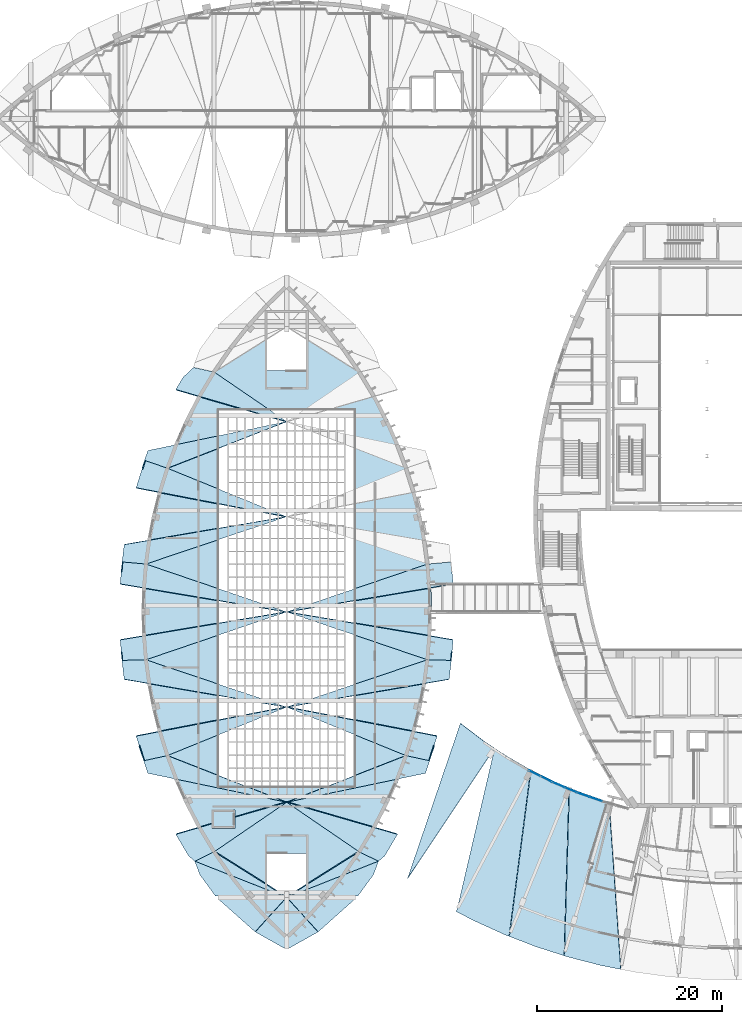
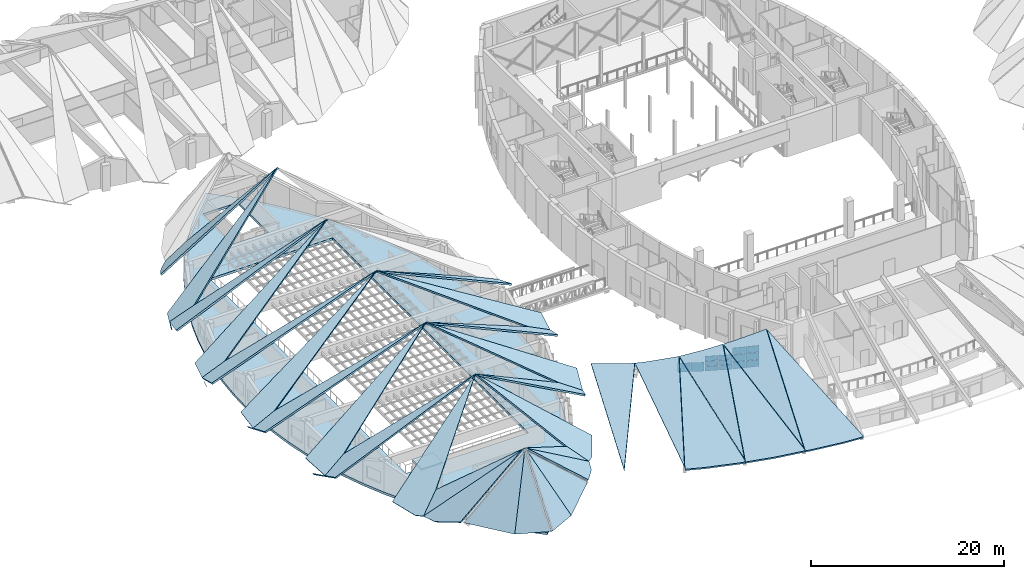
# One storey, part 21 of 56: 33 slabs, 14 plates, 3 elements without a shape of their own.
"""IFC4 building model written with IfcOpenShell, lengths in metres."""

from ifc_helpers import new_model, si_unit, direction, frame, origin, origin_2d, place, context, subcontext, project, spatial, polyline, rectangle, outline, extrude, material, layer, layer_set, type_object, element, aggregate, save


model = new_model("IFC4")

# Units and contexts
model_context = context("Model", 3, precision=1e-05, world=origin(), true_north=direction((0.0, 1.0)))
body_context = subcontext(model_context, "Body", "Model", "MODEL_VIEW")
ifc_project = project(units=[si_unit("LENGTHUNIT", "METRE"), si_unit("AREAUNIT", "SQUARE_METRE"), si_unit("VOLUMEUNIT", "CUBIC_METRE"), si_unit("PLANEANGLEUNIT", "RADIAN"), si_unit("MASSUNIT", "GRAM", prefix="KILO")], contexts=[model_context])

# Site, building, storey
site_placement = place(None, origin())
site = spatial("IfcSite", under=ifc_project, at=site_placement, CompositionType="ELEMENT")
building_placement = place(site_placement, origin())
building = spatial("IfcBuilding", under=site, at=building_placement, Name="Tide Square Theatres", CompositionType="ELEMENT")
storey_placement = place(building_placement, frame((0.0, 0.0, 10.199951171875)))
storey = spatial("IfcBuildingStorey", under=building, at=storey_placement, Name="L02", CompositionType="ELEMENT", Elevation=10.199951171875)

# Curtain wall, plates
ifc_material_1 = material(Name="Aluminium 6063-T5", Category="aluminium")
curtain_wall_type_1 = type_object("IfcCurtainWallType", Name="Stick system curtain wall 3000 high", PredefinedType="USERDEFINED", material=ifc_material_1)
curtain_wall_1_placement = place(storey_placement, origin())
curtain_wall_1 = element("IfcCurtainWall", 1, at=curtain_wall_1_placement, inside=storey, type_object=curtain_wall_type_1, Name="Foyer inner curtain wall", ObjectType="STICK SYSTEM", PredefinedType="USERDEFINED")
ifc_material_2 = material(Name="Double-glazed unit with aluminium frame", Category="aluminium")
ifc_layer_1 = layer(ifc_material_2, 0.030029296875)
ifc_layer_set_1 = layer_set([ifc_layer_1], Name="Double-glazed unit with aluminium frame")
plate_type = type_object("IfcPlateType", Name="Curtain wall panel 30 thick", PredefinedType="CURTAIN_PANEL", material=ifc_layer_set_1)
plate_1_placement = place(storey_placement, frame((69.413330078125, 24.260009765625, 0.05029296875), z_axis=(0.0, 0.0, 1.0), x_axis=(-0.943674173713, 0.330876191147, 0.0)))
plate_1 = element("IfcPlate", 2, at=plate_1_placement, type_object=plate_type, Name="CW-10 panel 1.1", PredefinedType="CURTAIN_PANEL", context=body_context, shape_type="SweptSolid", body=[
    extrude(rectangle(XDim=1.365234375, YDim=0.030029296875, at=origin_2d()), origin(), (0.0, 0.0, 1.0), 0.848388671875),
])
plate_2_placement = place(storey_placement, frame((69.413330078125, 24.260009765625, 0.948486328125), z_axis=(0.0, 0.0, 1.0), x_axis=(-0.943674173713, 0.330876191147, 0.0)))
plate_2 = element("IfcPlate", 3, at=plate_2_placement, type_object=plate_type, Name="CW-10 panel 1.2", PredefinedType="CURTAIN_PANEL", context=body_context, shape_type="SweptSolid", body=[
    extrude(rectangle(XDim=1.365234375, YDim=0.030029296875, at=origin_2d()), origin(), (0.0, 0.0, 1.0), 0.87353515625),
])
plate_3_placement = place(storey_placement, frame((69.413330078125, 24.260009765625, 1.8720703125), z_axis=(0.0, 0.0, 1.0), x_axis=(-0.943674173713, 0.330876191147, 0.0)))
plate_3 = element("IfcPlate", 4, at=plate_3_placement, type_object=plate_type, Name="CW-10 panel 1.3", PredefinedType="CURTAIN_PANEL", context=body_context, shape_type="SweptSolid", body=[
    extrude(rectangle(XDim=1.365234375, YDim=0.030029296875, at=origin_2d()), origin(), (0.0, 0.0, 1.0), 0.848388671875),
])
plate_4_placement = place(storey_placement, frame((68.077880859375, 24.728271484375, 0.05029296875), z_axis=(0.0, 0.0, 1.0), x_axis=(-0.943674173713, 0.330876191147, 0.0)))
plate_4 = element("IfcPlate", 5, at=plate_4_placement, type_object=plate_type, Name="CW-10 panel 2.1", PredefinedType="CURTAIN_PANEL", context=body_context, shape_type="SweptSolid", body=[
    extrude(rectangle(XDim=1.365234375, YDim=0.030029296875, at=origin_2d()), origin(), (0.0, 0.0, 1.0), 0.848388671875),
])
plate_5_placement = place(storey_placement, frame((68.077880859375, 24.728271484375, 0.948486328125), z_axis=(0.0, 0.0, 1.0), x_axis=(-0.943674173713, 0.330876191147, 0.0)))
plate_5 = element("IfcPlate", 6, at=plate_5_placement, type_object=plate_type, Name="CW-10 panel 2.2", PredefinedType="CURTAIN_PANEL", context=body_context, shape_type="SweptSolid", body=[
    extrude(rectangle(XDim=1.365234375, YDim=0.030029296875, at=origin_2d()), origin(), (0.0, 0.0, 1.0), 0.87353515625),
])
plate_6_placement = place(storey_placement, frame((68.077880859375, 24.728271484375, 1.8720703125), z_axis=(0.0, 0.0, 1.0), x_axis=(-0.943674173713, 0.330876191147, 0.0)))
plate_6 = element("IfcPlate", 7, at=plate_6_placement, type_object=plate_type, Name="CW-10 panel 2.3", PredefinedType="CURTAIN_PANEL", context=body_context, shape_type="SweptSolid", body=[
    extrude(rectangle(XDim=1.365234375, YDim=0.030029296875, at=origin_2d()), origin(), (0.0, 0.0, 1.0), 0.848388671875),
])
aggregate(curtain_wall_1, [plate_1, plate_2, plate_3, plate_4, plate_5, plate_6])

ifc_material_3 = material(Name="Aluminium 6063-T5", Category="aluminium")
curtain_wall_type_2 = type_object("IfcCurtainWallType", Name="Stick system curtain wall 1800 high", PredefinedType="USERDEFINED", material=ifc_material_3)
curtain_wall_2_placement = place(storey_placement, origin())
curtain_wall_2 = element("IfcCurtainWall", 8, at=curtain_wall_2_placement, inside=storey, type_object=curtain_wall_type_2, Name="Foyer inner curtain wall", ObjectType="STICK SYSTEM", PredefinedType="USERDEFINED")
plate_7_placement = place(storey_placement, frame((66.7119140625, 25.255859375, 0.050048828125), z_axis=(0.0, 0.0, 1.0), x_axis=(-0.92117987465, 0.389137043393, 0.0)))
plate_7 = element("IfcPlate", 9, at=plate_7_placement, type_object=plate_type, Name="CW-08 panel 1.1", PredefinedType="CURTAIN_PANEL", context=body_context, shape_type="SweptSolid", body=[
    extrude(rectangle(XDim=1.364990234375, YDim=0.030029296875, at=origin_2d()), origin(), (0.0, 0.0, 1.0), 0.5830078125),
])
plate_8_placement = place(storey_placement, frame((66.7119140625, 25.255859375, 0.68310546875), z_axis=(0.0, 0.0, 1.0), x_axis=(-0.92117987465, 0.389137043393, 0.0)))
plate_8 = element("IfcPlate", 10, at=plate_8_placement, type_object=plate_type, Name="CW-08 panel 1.2", PredefinedType="CURTAIN_PANEL", context=body_context, shape_type="SweptSolid", body=[
    extrude(rectangle(XDim=1.364990234375, YDim=0.030029296875, at=origin_2d()), origin(), (0.0, 0.0, 1.0), 0.60791015625),
])
plate_9_placement = place(storey_placement, frame((66.7119140625, 25.255859375, 1.341064453125), z_axis=(0.0, 0.0, 1.0), x_axis=(-0.92117987465, 0.389137043393, 0.0)))
plate_9 = element("IfcPlate", 11, at=plate_9_placement, type_object=plate_type, Name="CW-08 panel 1.3", PredefinedType="CURTAIN_PANEL", context=body_context, shape_type="SweptSolid", body=[
    extrude(rectangle(XDim=1.364990234375, YDim=0.030029296875, at=origin_2d()), origin(), (0.0, 0.0, 1.0), 0.5830078125),
])
plate_10_placement = place(storey_placement, frame((65.408203125, 25.806396484375, 0.050048828125), z_axis=(0.0, 0.0, 1.0), x_axis=(-0.92117987465, 0.389137043393, 0.0)))
plate_10 = element("IfcPlate", 12, at=plate_10_placement, type_object=plate_type, Name="CW-08 panel 2.1", PredefinedType="CURTAIN_PANEL", context=body_context, shape_type="SweptSolid", body=[
    extrude(rectangle(XDim=1.364990234375, YDim=0.030029296875, at=origin_2d()), origin(), (0.0, 0.0, 1.0), 0.5830078125),
])
plate_11_placement = place(storey_placement, frame((65.408203125, 25.806396484375, 0.68310546875), z_axis=(0.0, 0.0, 1.0), x_axis=(-0.92117987465, 0.389137043393, 0.0)))
plate_11 = element("IfcPlate", 13, at=plate_11_placement, type_object=plate_type, Name="CW-08 panel 2.2", PredefinedType="CURTAIN_PANEL", context=body_context, shape_type="SweptSolid", body=[
    extrude(rectangle(XDim=1.364990234375, YDim=0.030029296875, at=origin_2d()), origin(), (0.0, 0.0, 1.0), 0.60791015625),
])
plate_12_placement = place(storey_placement, frame((65.408203125, 25.806396484375, 1.341064453125), z_axis=(0.0, 0.0, 1.0), x_axis=(-0.92117987465, 0.389137043393, 0.0)))
plate_12 = element("IfcPlate", 14, at=plate_12_placement, type_object=plate_type, Name="CW-08 panel 2.3", PredefinedType="CURTAIN_PANEL", context=body_context, shape_type="SweptSolid", body=[
    extrude(rectangle(XDim=1.364990234375, YDim=0.030029296875, at=origin_2d()), origin(), (0.0, 0.0, 1.0), 0.5830078125),
])
aggregate(curtain_wall_2, [plate_7, plate_8, plate_9, plate_10, plate_11, plate_12])

ifc_material_4 = material(Name="Aluminium 6063-T5", Category="aluminium")
curtain_wall_type_3 = type_object("IfcCurtainWallType", Name="Stick system curtain wall 1200 high", PredefinedType="USERDEFINED", material=ifc_material_4)
curtain_wall_3_placement = place(storey_placement, origin())
curtain_wall_3 = element("IfcCurtainWall", 15, at=curtain_wall_3_placement, inside=storey, type_object=curtain_wall_type_3, Name="Foyer inner curtain wall", ObjectType="STICK SYSTEM", PredefinedType="USERDEFINED")
plate_13_placement = place(storey_placement, frame((64.077880859375, 26.418212890625, 0.0498046875), z_axis=(0.0, 0.0, 1.0), x_axis=(-0.895099732061, 0.445865977245, 0.0)))
plate_13 = element("IfcPlate", 16, at=plate_13_placement, type_object=plate_type, Name="CW-07 panel 1.1", PredefinedType="CURTAIN_PANEL", context=body_context, shape_type="SweptSolid", body=[
    extrude(rectangle(XDim=1.365234375, YDim=0.030029296875, at=origin_2d()), origin(), (0.0, 0.0, 1.0), 1.123291015625),
])
plate_14_placement = place(storey_placement, frame((62.81103515625, 27.049072265625, 0.0498046875), z_axis=(0.0, 0.0, 1.0), x_axis=(-0.895099732061, 0.445865977245, 0.0)))
plate_14 = element("IfcPlate", 17, at=plate_14_placement, type_object=plate_type, Name="CW-07 panel 2.1", PredefinedType="CURTAIN_PANEL", context=body_context, shape_type="SweptSolid", body=[
    extrude(rectangle(XDim=1.365234375, YDim=0.030029296875, at=origin_2d()), origin(), (0.0, 0.0, 1.0), 1.123291015625),
])
aggregate(curtain_wall_3, [plate_13, plate_14])

# Slabs
ifc_material_5 = material(Name="Concrete C35", Category="concrete")
ifc_layer_2 = layer(ifc_material_5, 0.300048828125)
ifc_layer_set_2 = layer_set([ifc_layer_2], Name="Concrete C35")
slab_type_1 = type_object("IfcSlabType", Name="RC floor slab 300", PredefinedType="FLOOR", material=ifc_layer_set_2)
slab_1_placement = place(storey_placement, frame((0.0, 0.0, -0.300048828125)))
element("IfcSlab", 18, at=slab_1_placement, inside=storey, type_object=slab_type_1, Name="Studio Theatre floor slab L02", PredefinedType="FLOOR", context=body_context, shape_type="SweptSolid", body=[
    extrude(outline(polyline([(36.0, 9.0), (38.243408203125, 11.17919921875), (40.33984375, 13.5), (42.254638671875, 15.9169921875), (44.01025390625, 18.451904296875), (45.599609375, 21.09423828125), (47.01611328125, 23.833251953125), (48.12353515625, 26.33642578125), (49.086669921875, 28.898681640625), (49.902099609375, 31.511474609375), (50.5673828125, 34.166748046875), (51.05859375, 36.723388671875), (51.41064453125, 39.302734375), (51.622314453125, 41.897705078125), (51.69287109375, 44.5), (51.622314453125, 47.102294921875), (51.41064453125, 49.697265625), (51.05859375, 52.276611328125), (50.5673828125, 54.833251953125), (49.902099609375, 57.488525390625), (49.086669921875, 60.101318359375), (48.12353515625, 62.66357421875), (47.01611328125, 65.166748046875), (45.599609375, 67.90576171875), (44.01025390625, 70.548095703125), (42.254638671875, 73.0830078125), (40.33984375, 75.5), (38.243408203125, 77.82080078125), (36.0, 80.0), (33.756591796875, 77.82080078125), (31.66015625, 75.5), (29.745361328125, 73.0830078125), (27.98974609375, 70.548095703125), (26.400390625, 67.90576171875), (24.98388671875, 65.166748046875), (23.87646484375, 62.66357421875), (22.913330078125, 60.101318359375), (22.097900390625, 57.488525390625), (21.4326171875, 54.833251953125), (20.94140625, 52.276611328125), (20.58935546875, 49.697265625), (20.377685546875, 47.102294921875), (20.30712890625, 44.5), (20.377685546875, 41.897705078125), (20.58935546875, 39.302734375), (20.94140625, 36.723388671875), (21.4326171875, 34.166748046875), (22.097900390625, 31.511474609375), (22.913330078125, 28.898681640625), (23.87646484375, 26.33642578125), (24.98388671875, 23.833251953125), (26.400390625, 21.09423828125), (27.98974609375, 18.451904296875), (29.745361328125, 15.9169921875), (31.66015625, 13.5), (33.756591796875, 11.17919921875), (36.0, 9.0)]), holes=[polyline([(28.64990234375, 66.35009765625), (28.64990234375, 25.64990234375), (43.35009765625, 25.64990234375), (43.35009765625, 66.35009765625), (28.64990234375, 66.35009765625)]), polyline([(30.219970703125, 21.300048828125), (30.219970703125, 22.89990234375), (28.1201171875, 22.89990234375), (28.1201171875, 21.300048828125), (30.219970703125, 21.300048828125)]), polyline([(38.10009765625, 70.595703125), (38.10009765625, 76.85009765625), (33.89990234375, 76.85009765625), (33.89990234375, 70.595703125), (38.10009765625, 70.595703125)]), polyline([(33.89990234375, 18.404296875), (33.89990234375, 12.14990234375), (38.10009765625, 12.14990234375), (38.10009765625, 18.404296875), (33.89990234375, 18.404296875)])]), origin(), (0.0, 0.0, 1.0), 0.300048828125),
])
ifc_material_6 = material(Name="Concrete C40", Category="concrete")
ifc_layer_3 = layer(ifc_material_6, 0.199951171875)
ifc_layer_set_3 = layer_set([ifc_layer_3], Name="Concrete C40")
slab_type_2 = type_object("IfcSlabType", Name="RC roof slab 200", PredefinedType="ROOF", material=ifc_layer_set_3)
slab_2_placement = place(storey_placement, frame((55.04931640625, 32.252685546875, 0.641357421875), z_axis=(-0.133203298273, -0.029548668521, 0.990648150212), x_axis=(-0.754151304013, 0.651564941336, -0.081969127588)))
element("IfcSlab", 19, at=slab_2_placement, inside=storey, type_object=slab_type_2, Name="Foyer roof plate foyer-S0b", PredefinedType="ROOF", context=body_context, shape_type="SweptSolid", body=[
    extrude(outline(polyline([(0.0, 0.0), (0.3402291181141655, -2.1250362580715887e-17), (-6.1912247696416465, 16.583083765365497), (-4.237152126557481, -0.3540155005034394), (-2.8779750785932525, -0.18222469903418326), (0.0, 0.0)])), origin(), (0.0, 0.0, -1.0), 0.199951171875),
])
slab_3_placement = place(storey_placement, frame((59.728515625, 28.924560546875, 1.322998046875), z_axis=(-0.238478712314, -0.015508455152, 0.97102388827), x_axis=(-0.817116486487, 0.543559775371, -0.191998484653)))
element("IfcSlab", 20, at=slab_3_placement, inside=storey, type_object=slab_type_2, Name="Foyer roof plate foyer-S1b", PredefinedType="ROOF", context=body_context, shape_type="SweptSolid", body=[
    extrude(outline(polyline([(0.0, 0.0), (1.5217228932536926, -2.0816681711721685e-17), (-4.3334201001521, 16.782084586122057), (-3.127210507313726, -0.20581452114063625), (-2.926231272519016, -0.18094987776053612), (0.0, 0.0)])), origin(), (0.0, 0.0, -1.0), 0.199951171875),
])
slab_4_placement = place(storey_placement, frame((59.99609375, 9.44189453125, 0.29150390625), z_axis=(-0.133901697207, -0.073651752378, 0.988253891901), x_axis=(0.375907416589, 0.918930310434, 0.119418167455)))
element("IfcSlab", 21, at=slab_4_placement, inside=storey, type_object=slab_type_2, Name="Foyer roof plate foyer-S2a", PredefinedType="ROOF", context=body_context, shape_type="SweptSolid", body=[
    extrude(outline(polyline([(0.0, 0.0), (0.20590695228474917, -7.806255641895632e-18), (17.492384853101033, 4.584237614900819), (0.26005271636310584, 6.314678166493417), (0.08192856343770458, 4.225017317545547), (-0.01670297404753105, 0.5285749928340474), (0.0, 0.0)])), origin(), (0.0, 0.0, -1.0), 0.199951171875),
])
slab_5_placement = place(storey_placement, frame((64.78564453125, 26.205078125, 2.678466796875), z_axis=(-0.311361619713, -0.046987801636, 0.949129120967), x_axis=(-0.863826690813, 0.430254127465, -0.262077915969)))
element("IfcSlab", 22, at=slab_5_placement, inside=storey, type_object=slab_type_2, Name="Foyer roof plate foyer-S2b", PredefinedType="ROOF", context=body_context, shape_type="SweptSolid", body=[
    extrude(outline(polyline([(0.0, 0.0), (2.7355850898650593, 1.3877787807814457e-16), (-2.414641834556756, 16.98252862094802), (-1.9785462489172787, -0.1210060345723711), (0.0, 0.0)])), origin(), (0.0, 0.0, -1.0), 0.199951171875),
])
slab_6_placement = place(storey_placement, frame((65.9453125, 7.343017578125, 0.893310546875), z_axis=(-0.144497439017, -0.12142413537, 0.982026817082), x_axis=(0.282285816357, 0.946142218938, 0.158523245697)))
element("IfcSlab", 23, at=slab_6_placement, inside=storey, type_object=slab_type_2, Name="Foyer roof plate foyer-S3a", PredefinedType="ROOF", context=body_context, shape_type="SweptSolid", body=[
    extrude(outline(polyline([(0.0, 0.0), (0.1997000975907146, -8.673617379884035e-19), (17.541376896472688, 4.608497006188577), (0.20780716209117, 6.316339643788603), (0.011485356605302817, 3.172112851817569), (0.0, 0.0)])), origin(), (0.0, 0.0, -1.0), 0.199951171875),
])
slab_7_placement = place(storey_placement, frame((67.431640625, 25.08740234375, 3.491455078125), z_axis=(-0.332853259388, -0.110074253203, 0.936532095818), x_axis=(-0.886706369924, 0.374486927131, -0.271129775098)))
element("IfcSlab", 24, at=slab_7_placement, inside=storey, type_object=slab_type_2, Name="Foyer roof plate foyer-S3b", PredefinedType="ROOF", context=body_context, shape_type="SweptSolid", body=[
    extrude(outline(polyline([(0.0, 0.0), (0.964821994939362, -1.3877787807814457e-17), (-4.575903875110135, 16.934629934297277), (-3.768253692691, -0.27977551436514825), (-2.9904663617922864, -0.18406282788118472), (0.0, 0.0)])), origin(), (0.0, 0.0, -1.0), 0.199951171875),
])
slab_8_placement = place(storey_placement, frame((72.076904296875, 5.85986328125, 1.419921875), z_axis=(-0.129521416795, -0.179216665688, 0.975246424926), x_axis=(0.183774827813, 0.962152971347, 0.201217475359)))
element("IfcSlab", 25, at=slab_8_placement, inside=storey, type_object=slab_type_2, Name="Foyer roof plate foyer-S4a", PredefinedType="ROOF", context=body_context, shape_type="SweptSolid", body=[
    extrude(outline(polyline([(0.0, 0.0), (0.19382557948049844, -3.903127820947816e-18), (17.664990645114237, 4.576953846852607), (0.18909750905535086, 6.308594099351258), (0.13637987810147617, 5.804055797159233), (-0.029972913004108342, 2.1133162559558714), (0.0, 0.0)])), origin(), (0.0, 0.0, -1.0), 0.199951171875),
])
slab_9_placement = place(storey_placement, frame((0.0, 0.0, 3.342041015625)))
element("IfcSlab", 26, at=slab_9_placement, inside=storey, type_object=slab_type_2, Name="Studio Theatre lift overrun cover", PredefinedType="ROOF", context=body_context, shape_type="SweptSolid", body=[
    extrude(outline(polyline([(30.419921875, 21.10009765625), (30.419921875, 23.10009765625), (27.919921875, 23.10009765625), (27.919921875, 21.10009765625), (30.419921875, 21.10009765625)])), origin(), (0.0, 0.0, 1.0), 0.199951171875),
])
slab_10_placement = place(storey_placement, frame((45.39013671875, 16.090576171875, 0.376220703125), z_axis=(0.646213883668, -0.241208938589, 0.72403443599), x_axis=(0.349699568677, 0.936861895727, -1.730468e-06)))
element("IfcSlab", 27, at=slab_10_placement, inside=storey, type_object=slab_type_2, Name="Roof plate studio-P001", PredefinedType="ROOF", context=body_context, shape_type="SweptSolid", body=[
    extrude(outline(polyline([(0.0, 0.0), (1.561741034233145, -5.551115123125783e-17), (-5.334900362424495, 10.571001842598127), (-2.767636575213685, 1.0717441143020987), (0.0, 0.0)])), origin(), (0.0, 0.0, -1.0), 0.199951171875),
])
slab_11_placement = place(storey_placement, frame((43.84228515625, 18.560546875, 2.400146484375), z_axis=(0.639142579915, -0.1757573094, 0.748736355958), x_axis=(-0.726652981314, -0.456912300497, 0.513036640409)))
element("IfcSlab", 28, at=slab_11_placement, inside=storey, type_object=slab_type_2, Name="Roof plate studio-P002", PredefinedType="ROOF", context=body_context, shape_type="SweptSolid", body=[
    extrude(outline(polyline([(0.0, 0.0), (10.79233878882797, 8.881784197001252e-16), (-2.0742142787254068, 2.2505029433715533), (0.0, 0.0)])), origin(), (0.0, 0.0, -1.0), 0.199951171875),
])
slab_12_placement = place(storey_placement, frame((47.988525390625, 20.449951171875, 1.18310546875), z_axis=(0.449870186556, -0.519101830224, 0.72673936532), x_axis=(-0.752567589682, 0.217822031855, 0.621446365666)))
element("IfcSlab", 29, at=slab_12_placement, inside=storey, type_object=slab_type_2, Name="Roof plate studio-P003", PredefinedType="ROOF", context=body_context, shape_type="SweptSolid", body=[
    extrude(outline(polyline([(0.0, 0.0), (15.93011833775822, 0.0), (3.465097852510603, 3.1992877933087653), (0.4347406007959518, 3.6283137811097617), (0.762149042010317, 3.8932695403033293), (0.5581664676953395, 3.9453364494435177), (0.03620037799861142, 2.8370850709911504), (0.0, 0.0)])), origin(), (0.0, 0.0, -1.0), 0.199951171875),
])
slab_13_placement = place(storey_placement, frame((36.0, 23.919921875, 11.082763671875), z_axis=(0.528951665014, 0.098463805247, 0.842920527176), x_axis=(0.825189268548, 0.172264535805, -0.537947581812)))
element("IfcSlab", 30, at=slab_13_placement, inside=storey, type_object=slab_type_2, Name="Roof plate studio-P007", PredefinedType="ROOF", context=body_context, shape_type="SweptSolid", body=[
    extrude(outline(polyline([(0.0, 0.0), (18.188889669962514, 8.326672684688674e-17), (20.02350631560772, 2.6596957288569802), (20.025953401126085, 2.7942755840722144), (19.012697943724454, 1.241162131965655), (16.182490118068003, 2.3017981989767993), (0.0, 0.0)])), origin(), (0.0, 0.0, -1.0), 0.199951171875),
])
slab_14_placement = place(storey_placement, frame((52.271484375, 31.071533203125, 1.7880859375), z_axis=(0.403992344095, -0.409074792583, 0.818198020033), x_axis=(-0.849556396109, 0.163861090625, 0.501401508584)))
element("IfcSlab", 31, at=slab_14_placement, inside=storey, type_object=slab_type_2, Name="Roof plate studio-P008", PredefinedType="ROOF", context=body_context, shape_type="SweptSolid", body=[
    extrude(outline(polyline([(0.0, 0.0), (19.152904625970653, 1.3322676295501878e-15), (2.8279068163526677, 2.864416264213053), (-0.19384966326782238, 2.9277643522208407), (0.0, 0.0)])), origin(), (0.0, 0.0, -1.0), 0.199951171875),
])
slab_15_placement = place(storey_placement, frame((36.0, 34.2099609375, 11.391357421875), z_axis=(0.430790255916, 0.245433155781, 0.868436711252), x_axis=(0.868485881131, 0.148776862753, -0.472861205202)))
element("IfcSlab", 32, at=slab_15_placement, inside=storey, type_object=slab_type_2, Name="Roof plate studio-P012", PredefinedType="ROOF", context=body_context, shape_type="SweptSolid", body=[
    extrude(outline(polyline([(0.0, 0.0), (20.23316489440962, 4.440892098500626e-16), (21.47606571006804, 2.956596891748217), (21.433612931091893, 2.9506898063487244), (21.065888794427376, 2.000849468670075), (18.223846983524087, 2.5087317321483305), (0.0, 0.0)])), origin(), (0.0, 0.0, -1.0), 0.199951171875),
])
slab_16_placement = place(storey_placement, frame((54.002685546875, 41.474853515625, 1.89453125), z_axis=(0.408256825598, -0.329681289652, 0.851255902538), x_axis=(-0.868775929211, 0.145986249226, 0.473198055639)))
element("IfcSlab", 33, at=slab_16_placement, inside=storey, type_object=slab_type_2, Name="Roof plate studio-P013", PredefinedType="ROOF", context=body_context, shape_type="SweptSolid", body=[
    extrude(outline(polyline([(0.0, 0.0), (20.721835294647622, 0.0), (2.349883773647144, 2.6732523886963007), (-0.5121198099254823, 2.2936716466184475), (0.0, 0.0)])), origin(), (0.0, 0.0, -1.0), 0.199951171875),
])
slab_17_placement = place(storey_placement, frame((51.2119140625, 49.675537109375, 2.400146484375), z_axis=(0.408254516373, 0.329677706016, 0.851258397913), x_axis=(-0.819366880164, -0.278771960095, 0.50092325755)))
element("IfcSlab", 34, at=slab_17_placement, inside=storey, type_object=slab_type_2, Name="Roof plate studio-P017", PredefinedType="ROOF", context=body_context, shape_type="SweptSolid", body=[
    extrude(outline(polyline([(0.0, 0.0), (18.565421649885224, 1.1102230246251565e-15), (-1.940471545174048, 2.9837564018683667), (-2.8400912585662144, 0.623855400687998), (0.0, 0.0)])), origin(), (0.0, 0.0, -1.0), 0.199951171875),
])
slab_18_placement = place(storey_placement, frame((26.063720703125, 17.5537109375, 0.376220703125), z_axis=(-0.646213883668, -0.241208938589, 0.72403443599), x_axis=(0.349699568677, -0.936861895727, 1.730468e-06)))
element("IfcSlab", 35, at=slab_18_placement, inside=storey, type_object=slab_type_2, Name="Roof plate studio-P031", PredefinedType="ROOF", context=body_context, shape_type="SweptSolid", body=[
    extrude(outline(polyline([(0.0, 0.0), (1.561741034233145, 5.551115123125783e-17), (4.32937760944683, 1.071744114302099), (6.89664139665764, 10.571001842598129), (0.0, 0.0)])), origin(), (0.0, 0.0, -1.0), 0.199951171875),
])
slab_19_placement = place(storey_placement, frame((26.08349609375, 17.5458984375, 0.391357421875), z_axis=(-0.639142579915, -0.1757573094, 0.748736355958), x_axis=(0.759193689382, -0.299842069158, 0.577684754486)))
element("IfcSlab", 36, at=slab_19_placement, inside=storey, type_object=slab_type_2, Name="Roof plate studio-P032", PredefinedType="ROOF", context=body_context, shape_type="SweptSolid", body=[
    extrude(outline(polyline([(0.0, 0.0), (13.061889271399112, 4.440892098500626e-16), (2.4309463148144, 1.8594699208867762), (0.0, 0.0)])), origin(), (0.0, 0.0, -1.0), 0.199951171875),
])
slab_20_placement = place(storey_placement, frame((36.0, 23.919921875, 11.082763671875), z_axis=(-0.449870186556, -0.519101830224, 0.72673936532), x_axis=(-0.752567589682, -0.217822031855, -0.621446365666)))
element("IfcSlab", 37, at=slab_20_placement, inside=storey, type_object=slab_type_2, Name="Roof plate studio-P033", PredefinedType="ROOF", context=body_context, shape_type="SweptSolid", body=[
    extrude(outline(polyline([(0.0, 0.0), (15.93011833775822, 0.0), (15.893917959759607, 2.8370850709911495), (15.37195187006288, 3.945336449443517), (15.167969295747902, 3.89326954030333), (15.495377736962267, 3.6283137811097617), (12.465020485247617, 3.199287793308765), (0.0, 0.0)])), origin(), (0.0, 0.0, -1.0), 0.199951171875),
])
slab_21_placement = place(storey_placement, frame((20.99072265625, 27.05322265625, 1.298095703125), z_axis=(-0.528951665014, 0.098463805247, 0.842920527176), x_axis=(0.825189268548, -0.172264535805, 0.537947581812)))
element("IfcSlab", 38, at=slab_21_placement, inside=storey, type_object=slab_type_2, Name="Roof plate studio-P037", PredefinedType="ROOF", context=body_context, shape_type="SweptSolid", body=[
    extrude(outline(polyline([(0.0, 0.0), (18.188889669962514, -8.326672684688674e-17), (2.00639955189451, 2.301798198976799), (-0.8238082737619409, 1.2411621319656547), (-1.8370637311635685, 2.794275584072215), (-1.8346166456452047, 2.6596957288569807), (0.0, 0.0)])), origin(), (0.0, 0.0, -1.0), 0.199951171875),
])
slab_22_placement = place(storey_placement, frame((23.1025390625, 28.963623046875, 2.400146484375), z_axis=(-0.403992344095, -0.409074792583, 0.818198020033), x_axis=(0.778155243353, 0.316532053912, 0.542477535101)))
element("IfcSlab", 39, at=slab_22_placement, inside=storey, type_object=slab_type_2, Name="Roof plate studio-P038", PredefinedType="ROOF", context=body_context, shape_type="SweptSolid", body=[
    extrude(outline(polyline([(0.0, 0.0), (16.574390909433752, 4.440892098500626e-16), (-2.2903219946662703, 3.3100396761081363), (-2.9872363621168674, 0.4598305331635168), (0.0, 0.0)])), origin(), (0.0, 0.0, -1.0), 0.199951171875),
])
slab_23_placement = place(storey_placement, frame((18.427734375, 37.22021484375, 1.823974609375), z_axis=(-0.430790255916, 0.245433155781, 0.868436711252), x_axis=(0.868485881131, -0.148776862753, 0.472861205202)))
element("IfcSlab", 40, at=slab_23_placement, inside=storey, type_object=slab_type_2, Name="Roof plate studio-P042", PredefinedType="ROOF", context=body_context, shape_type="SweptSolid", body=[
    extrude(outline(polyline([(0.0, 0.0), (20.23316489440962, -4.440892098500626e-16), (2.0093179108855335, 2.5087317321483296), (-0.8327239000177566, 2.0008494686700744), (-1.2004480366822725, 2.950689806348725), (-1.2429008156584183, 2.9565968917482164), (0.0, 0.0)])), origin(), (0.0, 0.0, -1.0), 0.199951171875),
])
slab_24_placement = place(storey_placement, frame((20.7880859375, 39.324462890625, 2.400146484375), z_axis=(-0.408256825598, -0.329681289652, 0.851255902538), x_axis=(0.819365189538, 0.278770594843, 0.500926782698)))
element("IfcSlab", 41, at=slab_24_placement, inside=storey, type_object=slab_type_2, Name="Roof plate studio-P043", PredefinedType="ROOF", context=body_context, shape_type="SweptSolid", body=[
    extrude(outline(polyline([(0.0, 0.0), (18.565421649498354, 0.0), (-1.9404715452144834, 2.9837564018420695), (-2.777522479068312, 0.7877277006739982), (0.0, 0.0)])), origin(), (0.0, 0.0, -1.0), 0.199951171875),
])
slab_25_placement = place(storey_placement, frame((17.997314453125, 47.525146484375, 1.89453125), z_axis=(-0.408254516373, 0.329677706016, 0.851258397913), x_axis=(0.868777443904, -0.145987472406, 0.473194897336)))
element("IfcSlab", 42, at=slab_25_placement, inside=storey, type_object=slab_type_2, Name="Roof plate studio-P047", PredefinedType="ROOF", context=body_context, shape_type="SweptSolid", body=[
    extrude(outline(polyline([(0.0, 0.0), (20.72183529499423, -8.881784197001252e-16), (2.3498837736078375, 2.6732523887308526), (-0.550440435249357, 2.4648455714990356), (0.0, 0.0)])), origin(), (0.0, 0.0, -1.0), 0.199951171875),
])
slab_26_placement = place(storey_placement, frame((20.7880859375, 49.675537109375, 2.400146484375), z_axis=(-0.460696981669, -0.236796948283, 0.855386167976), x_axis=(0.813240909081, 0.273424947009, 0.513690589899)))
element("IfcSlab", 43, at=slab_26_placement, inside=storey, type_object=slab_type_2, Name="Roof plate studio-P048", PredefinedType="ROOF", context=body_context, shape_type="SweptSolid", body=[
    extrude(outline(polyline([(0.0, 0.0), (18.705252520640727, -1.6653345369377348e-15), (-1.6979698839912238, 2.7550596765439814), (-3.3381162715783974, -0.0001483246743383404), (-3.2945183007554375, -8.507728455077468e-05), (-2.714761699601995, 1.04181708239128), (0.0, 0.0)])), origin(), (0.0, 0.0, -1.0), 0.199951171875),
])
slab_27_placement = place(storey_placement, frame((19.728515625, 57.928466796875, 1.672607421875), z_axis=(-0.430598695674, 0.412093884702, 0.802971601911), x_axis=(0.833120950795, -0.1606890729, 0.529233883266)))
element("IfcSlab", 44, at=slab_27_placement, inside=storey, type_object=slab_type_2, Name="Roof plate studio-P052", PredefinedType="ROOF", context=body_context, shape_type="SweptSolid", body=[
    extrude(outline(polyline([(0.0, 0.0), (19.53068312415865, 8.881784197001252e-16), (2.857289808764602, 2.8622591461666316), (-0.24983904565091875, 3.252397912461224), (0.0, 0.0)])), origin(), (0.0, 0.0, -1.0), 0.199951171875),
])
slab_28_placement = place(storey_placement, frame((36.0, 65.080078125, 12.3173828125), z_axis=(-0.593645708879, -0.059883598873, 0.802495312706), x_axis=(-0.787108934526, -0.16431499575, -0.594525110791)))
element("IfcSlab", 45, at=slab_28_placement, inside=storey, type_object=slab_type_2, Name="Roof plate studio-P053", PredefinedType="ROOF", context=body_context, shape_type="SweptSolid", body=[
    extrude(outline(polyline([(0.0, 0.0), (19.06886469163445, 8.881784197001252e-16), (20.280872444401304, 1.7737376906096343), (20.28919210405049, 1.8712839280925369), (19.709151606320965, 0.9710410121249966), (16.87650849994515, 2.3061780903053077), (0.0, 0.0)])), origin(), (0.0, 0.0, -1.0), 0.199951171875),
])
slab_29_placement = place(storey_placement, frame((24.011474609375, 68.550048828125, 0.84716796875), z_axis=(-0.498927507414, 0.533582369799, 0.682906433551), x_axis=(0.707257032078, -0.204712925791, 0.67666838894)))
element("IfcSlab", 46, at=slab_29_placement, inside=storey, type_object=slab_type_2, Name="Roof plate studio-P057", PredefinedType="ROOF", context=body_context, shape_type="SweptSolid", body=[
    extrude(outline(polyline([(0.0, 0.0), (16.950848540923992, 2.220446049250313e-15), (3.5965235510575067, 3.1996745607229644), (0.5702708196218136, 3.0519284184846196), (-0.02344006545033911, 1.592596338559607), (0.0, 0.0)])), origin(), (0.0, 0.0, -1.0), 0.199951171875),
])
slab_30_placement = place(storey_placement, frame((39.38525390625, 9.90234375, 0.459228515625), z_axis=(0.496885127601, -0.665686867028, 0.556746050758), x_axis=(0.801559971537, 0.597914203393, -0.000466273498)))
element("IfcSlab", 47, at=slab_30_placement, inside=storey, type_object=slab_type_2, Name="Roof plate studio-P061", PredefinedType="ROOF", context=body_context, shape_type="SweptSolid", body=[
    extrude(outline(polyline([(0.0, 0.0), (0.14794997260622794, -6.938893903907228e-18), (5.391442754720592, 0.8142002666484442), (-0.4702665362309624, 8.663931544148777), (0.0, 0.0)])), origin(), (0.0, 0.0, -1.0), 0.199951171875),
])
slab_31_placement = place(storey_placement, frame((39.168212890625, 9.7666015625, 0.4619140625), z_axis=(0.446487439667, -0.703608008372, 0.552797193169), x_axis=(0.844341871181, 0.535804819251, 1.5415205e-05)))
element("IfcSlab", 48, at=slab_31_placement, inside=storey, type_object=slab_type_2, Name="Roof plate studio-P062", PredefinedType="ROOF", context=body_context, shape_type="SweptSolid", body=[
    extrude(outline(polyline([(0.0, 0.0), (0.2556115033505845, 0.0), (-0.5815467935313843, 8.721873699249231), (-3.5185083418475083, 0.3498818534199548), (0.0, 0.0)])), origin(), (0.0, 0.0, -1.0), 0.199951171875),
])
slab_32_placement = place(storey_placement, frame((32.615966796875, 9.903564453125, 0.4619140625), z_axis=(-0.446487439667, -0.703608008372, 0.552797193169), x_axis=(0.844341871181, -0.535804819251, -1.5415205e-05)))
element("IfcSlab", 49, at=slab_32_placement, inside=storey, type_object=slab_type_2, Name="Roof plate studio-P063", PredefinedType="ROOF", context=body_context, shape_type="SweptSolid", body=[
    extrude(outline(polyline([(0.0, 0.0), (0.2556115033505845, 0.0), (3.774119845198093, 0.3498818534199548), (0.8371582968819686, 8.72187369924923), (0.0, 0.0)])), origin(), (0.0, 0.0, -1.0), 0.199951171875),
])
slab_33_placement = place(storey_placement, frame((32.49609375, 9.99072265625, 0.459228515625), z_axis=(-0.496885127601, -0.665686867028, 0.556746050758), x_axis=(0.801559971537, -0.597914203393, 0.000466273498)))
element("IfcSlab", 50, at=slab_33_placement, inside=storey, type_object=slab_type_2, Name="Roof plate studio-P064", PredefinedType="ROOF", context=body_context, shape_type="SweptSolid", body=[
    extrude(outline(polyline([(0.0, 0.0), (0.14794997260622794, 6.938893903907228e-18), (0.61821650883719, 8.663931544148777), (-5.243492782114363, 0.814200266648444), (0.0, 0.0)])), origin(), (0.0, 0.0, -1.0), 0.199951171875),
])

save(model, "model.ifc")
